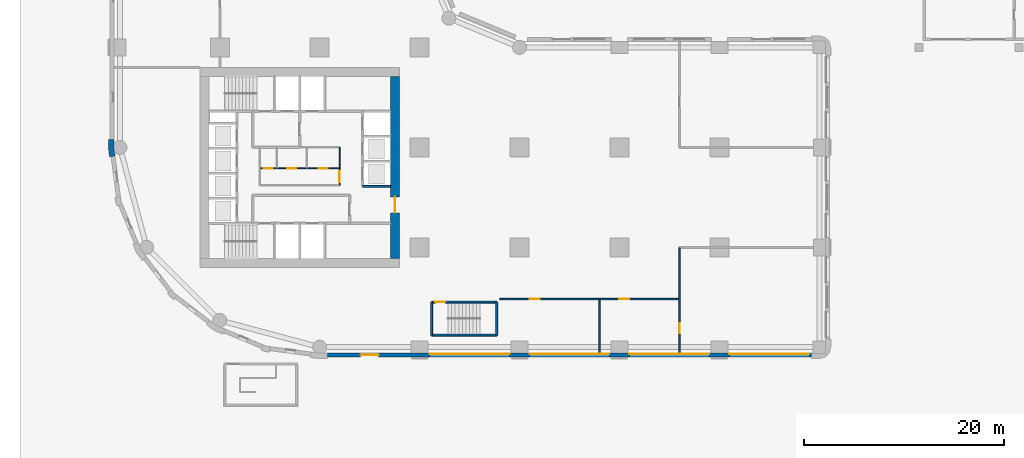
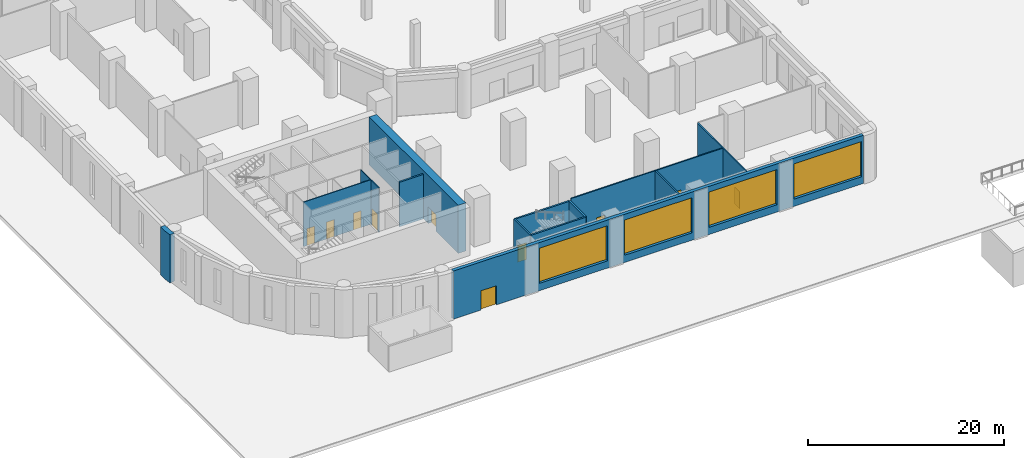
# One storey, part 8 of 21: 13 walls, 10 doors, 4 windows, 14 openings.
"""IFC4 building model written with IfcOpenShell, lengths in metres."""

from ifc_helpers import new_model, si_unit, direction, frame, frame_2d, origin, place, context, subcontext, project, spatial, polyline, rectangle, outline, extrude, material, layer, layer_set, type_object, element, fill, save


model = new_model("IFC4")

# Units and contexts
model_context = context("Model", 3, precision=1e-05, world=origin(), true_north=direction((0.0, 1.0)))
body_context = subcontext(model_context, "Body", "Model", "MODEL_VIEW")
ifc_project = project(units=[si_unit("LENGTHUNIT", "METRE"), si_unit("AREAUNIT", "SQUARE_METRE"), si_unit("VOLUMEUNIT", "CUBIC_METRE"), si_unit("PLANEANGLEUNIT", "RADIAN"), si_unit("MASSUNIT", "GRAM", prefix="KILO")], contexts=[model_context])

# Site, building, storey
site_placement = place(None, origin())
site = spatial("IfcSite", under=ifc_project, at=site_placement, CompositionType="ELEMENT")
building_placement = place(site_placement, origin())
building = spatial("IfcBuilding", under=site, at=building_placement, Name="Qaws Garden Tower", CompositionType="ELEMENT")
storey_placement = place(building_placement, origin())
storey = spatial("IfcBuildingStorey", under=building, at=storey_placement, Name="L00", CompositionType="ELEMENT", Elevation=0.0)

# Wall, openings, doors
ifc_material_1 = material(Name="Plasterboard")
ifc_layer_1 = layer(ifc_material_1, 0.10009765625)
ifc_layer_set_1 = layer_set([ifc_layer_1], Name="Plasterboard")
wall_type_1 = type_object("IfcWallType", Name="Core partition 100", PredefinedType="PARTITIONING", material=ifc_layer_set_1)
wall_1_placement = place(storey_placement, frame((14.0, 17.89990234375, 0.0), z_axis=(0.0, 0.0, 1.0), x_axis=(1.0, 0.0, 0.0)))
wall_1 = element("IfcWall", 1, at=wall_1_placement, inside=storey, type_object=wall_type_1, Name="Core partition", PredefinedType="PARTITIONING", context=body_context, shape_type="SweptSolid", body=[
    extrude(rectangle(XDim=8.0, YDim=0.10009765625, at=frame_2d((4.0, 0.0))), origin(), (0.0, 0.0, 1.0), 5.550048828125),
])
opening_1_placement = place(wall_1_placement, frame((0.39990234375, 0.0, 0.0)))
opening_1 = element("IfcOpeningElement", 2, at=opening_1_placement, cuts=wall_1, Name="Opening WD20", PredefinedType="OPENING", context=body_context, shape_type="SweptSolid", body=[
    extrude(rectangle(XDim=0.89990234375, YDim=2.10009765625, at=frame_2d((0.449951171875, 1.050048828125))), frame((0.0, 0.06005859375, 0.0), z_axis=(0.0, -1.0, 0.0), x_axis=(1.0, 0.0, 0.0)), (0.0, 0.0, 1.0), 0.1201171875),
])
opening_2_placement = place(wall_1_placement, frame((2.75, 0.0, 0.0)))
opening_2 = element("IfcOpeningElement", 3, at=opening_2_placement, cuts=wall_1, Name="Opening WD21", PredefinedType="OPENING", context=body_context, shape_type="SweptSolid", body=[
    extrude(rectangle(XDim=0.89990234375, YDim=2.10009765625, at=frame_2d((0.449951171875, 1.050048828125))), frame((0.0, 0.06005859375, 0.0), z_axis=(0.0, -1.0, 0.0), x_axis=(1.0, 0.0, 0.0)), (0.0, 0.0, 1.0), 0.1201171875),
])
opening_3_placement = place(wall_1_placement, frame((5.89990234375, 0.0, 0.0)))
opening_3 = element("IfcOpeningElement", 4, at=opening_3_placement, cuts=wall_1, Name="Opening WD22", PredefinedType="OPENING", context=body_context, shape_type="SweptSolid", body=[
    extrude(rectangle(XDim=0.89990234375, YDim=2.10009765625, at=frame_2d((0.449951171875, 1.050048828125))), frame((0.0, 0.06005859375, 0.0), z_axis=(0.0, -1.0, 0.0), x_axis=(1.0, 0.0, 0.0)), (0.0, 0.0, 1.0), 0.1201171875),
])
ifc_material_2 = material(Name="Timber", Category="wood")
door_type_1 = type_object("IfcDoorType", Name="WC door 900x2100", OperationType="SINGLE_SWING_LEFT", PredefinedType="DOOR", material=ifc_material_2)
door_1_placement = place(opening_1_placement, origin())
door_1 = element("IfcDoor", 5, at=door_1_placement, inside=storey, type_object=door_type_1, Name="Accessible WC door", OperationType="SINGLE_SWING_RIGHT", OverallHeight=2.10009765625, OverallWidth=0.89990234375, PredefinedType="DOOR", context=body_context, shape_type="SweptSolid", body=[
    extrude(rectangle(XDim=0.89990234375, YDim=2.10009765625, at=frame_2d((0.449951171875, 1.050048828125))), frame((0.0, 0.02490234375, 0.0), z_axis=(0.0, -1.0, 0.0), x_axis=(1.0, 0.0, 0.0)), (0.0, 0.0, 1.0), 0.050048828125),
])
fill(opening_1, door_1)
door_2_placement = place(opening_2_placement, origin())
door_2 = element("IfcDoor", 6, at=door_2_placement, inside=storey, type_object=door_type_1, Name="Men's WC door", OperationType="SINGLE_SWING_RIGHT", OverallHeight=2.10009765625, OverallWidth=0.89990234375, PredefinedType="DOOR", context=body_context, shape_type="SweptSolid", body=[
    extrude(rectangle(XDim=0.89990234375, YDim=2.10009765625, at=frame_2d((0.449951171875, 1.050048828125))), frame((0.0, 0.02490234375, 0.0), z_axis=(0.0, -1.0, 0.0), x_axis=(1.0, 0.0, 0.0)), (0.0, 0.0, 1.0), 0.050048828125),
])
fill(opening_2, door_2)
door_3_placement = place(opening_3_placement, origin())
door_3 = element("IfcDoor", 7, at=door_3_placement, inside=storey, type_object=door_type_1, Name="Women's WC door", OperationType="SINGLE_SWING_RIGHT", OverallHeight=2.10009765625, OverallWidth=0.89990234375, PredefinedType="DOOR", context=body_context, shape_type="SweptSolid", body=[
    extrude(rectangle(XDim=0.89990234375, YDim=2.10009765625, at=frame_2d((0.449951171875, 1.050048828125))), frame((0.0, 0.02490234375, 0.0), z_axis=(0.0, -1.0, 0.0), x_axis=(1.0, 0.0, 0.0)), (0.0, 0.0, 1.0), 0.050048828125),
])
fill(opening_3, door_3)

# Wall, opening, door
wall_2_placement = place(storey_placement, frame((22.0, 16.199951171875, 0.0), z_axis=(0.0, 0.0, 1.0), x_axis=(0.0, 1.0, 0.0)))
wall_2 = element("IfcWall", 8, at=wall_2_placement, inside=storey, type_object=wall_type_1, Name="Core partition", PredefinedType="PARTITIONING", context=body_context, shape_type="SweptSolid", body=[
    extrude(rectangle(XDim=3.800048828125, YDim=0.10009765625, at=frame_2d((1.89990234375, 0.0))), origin(), (0.0, 0.0, 1.0), 5.550048828125),
])
opening_4_placement = place(wall_2_placement, frame((0.300048828125, 0.0, 0.0)))
opening_4 = element("IfcOpeningElement", 9, at=opening_4_placement, cuts=wall_2, Name="Opening WL19", PredefinedType="OPENING", context=body_context, shape_type="SweptSolid", body=[
    extrude(rectangle(XDim=1.10009765625, YDim=2.10009765625, at=frame_2d((0.550048828125, 1.050048828125))), frame((0.0, 0.06005859375, 0.0), z_axis=(0.0, -1.0, 0.0), x_axis=(1.0, 0.0, 0.0)), (0.0, 0.0, 1.0), 0.1201171875),
])
ifc_material_3 = material(Name="Timber", Category="wood")
door_type_2 = type_object("IfcDoorType", Name="WC lobby door 1100x2100", OperationType="SINGLE_SWING_LEFT", PredefinedType="DOOR", material=ifc_material_3)
door_4_placement = place(opening_4_placement, origin())
door_4 = element("IfcDoor", 10, at=door_4_placement, inside=storey, type_object=door_type_2, Name="WC lobby door", OperationType="SINGLE_SWING_RIGHT", OverallHeight=2.10009765625, OverallWidth=1.10009765625, PredefinedType="DOOR", context=body_context, shape_type="SweptSolid", body=[
    extrude(rectangle(XDim=1.10009765625, YDim=2.10009765625, at=frame_2d((0.550048828125, 1.050048828125))), frame((0.0, 0.02490234375, 0.0), z_axis=(0.0, -1.0, 0.0), x_axis=(1.0, 0.0, 0.0)), (0.0, 0.0, 1.0), 0.050048828125),
])
fill(opening_4, door_4)

# Wall
ifc_material_4 = material(Name="Concrete C80", Category="concrete")
ifc_layer_2 = layer(ifc_material_4, 0.199951171875)
ifc_layer_set_2 = layer_set([ifc_layer_2], Name="Concrete C80")
wall_type_2 = type_object("IfcWallType", Name="Core shaft wall 200 C80", PredefinedType="SHEAR", material=ifc_layer_set_2)
wall_3_placement = place(storey_placement, frame((31.199951171875, 1.199951171875, 0.0), z_axis=(0.0, 0.0, 1.0), x_axis=(1.0, 0.0, 0.0)))
element("IfcWall", 11, at=wall_3_placement, inside=storey, type_object=wall_type_2, Name="Shaft wall", PredefinedType="SHEAR", context=body_context, shape_type="SweptSolid", body=[
    extrude(rectangle(XDim=6.5, YDim=0.199951171875, at=frame_2d((3.25, 0.0))), origin(), (0.0, 0.0, 1.0), 5.550048828125),
])

# Wall, opening, door
wall_4_placement = place(storey_placement, frame((31.199951171875, 4.5, 0.0), z_axis=(0.0, 0.0, 1.0), x_axis=(1.0, 0.0, 0.0)))
wall_4 = element("IfcWall", 12, at=wall_4_placement, inside=storey, type_object=wall_type_2, Name="Shaft wall", PredefinedType="SHEAR", context=body_context, shape_type="SweptSolid", body=[
    extrude(rectangle(XDim=6.5, YDim=0.199951171875, at=frame_2d((3.25, 0.0))), origin(), (0.0, 0.0, 1.0), 5.550048828125),
])
opening_5_placement = place(wall_4_placement, frame((0.375, 0.0, 0.0)))
opening_5 = element("IfcOpeningElement", 13, at=opening_5_placement, cuts=wall_4, Name="Opening SD14", PredefinedType="OPENING", context=body_context, shape_type="SweptSolid", body=[
    extrude(rectangle(XDim=1.0, YDim=2.10009765625, at=frame_2d((0.5, 1.050048828125))), frame((0.0, 0.10986328125, 0.0), z_axis=(0.0, -1.0, 0.0), x_axis=(1.0, 0.0, 0.0)), (0.0, 0.0, 1.0), 0.219970703125),
])
ifc_material_5 = material(Name="Steel S235", Category="steel")
door_type_3 = type_object("IfcDoorType", Name="Stair door 1000x2100", OperationType="SINGLE_SWING_RIGHT", PredefinedType="DOOR", material=ifc_material_5)
door_5_placement = place(opening_5_placement, frame((1.0, 0.0, 0.0), z_axis=(0.0, 0.0, 1.0), x_axis=(-1.0, 0.0, 0.0)))
door_5 = element("IfcDoor", 14, at=door_5_placement, inside=storey, type_object=door_type_3, Name="Stair 5 door", OperationType="SINGLE_SWING_RIGHT", OverallHeight=2.10009765625, OverallWidth=1.0, PredefinedType="DOOR", context=body_context, shape_type="SweptSolid", body=[
    extrude(rectangle(XDim=1.0, YDim=2.10009765625, at=frame_2d((0.5, 1.050048828125))), frame((0.0, 0.02490234375, 0.0), z_axis=(0.0, -1.0, 0.0), x_axis=(1.0, 0.0, 0.0)), (0.0, 0.0, 1.0), 0.050048828125),
])
fill(opening_5, door_5)

# Walls
wall_5_placement = place(storey_placement, frame((24.300048828125, 16.10009765625, 0.0), z_axis=(0.0, 0.0, 1.0), x_axis=(1.0, 0.0, 0.0)))
element("IfcWall", 15, at=wall_5_placement, inside=storey, type_object=wall_type_2, Name="Shaft wall", PredefinedType="SHEAR", context=body_context, shape_type="SweptSolid", body=[
    extrude(rectangle(XDim=2.800048828125, YDim=0.199951171875, at=frame_2d((1.39990234375, 0.0))), origin(), (0.0, 0.0, 1.0), 5.550048828125),
])
for number, where, z_axis, x_axis, name in (
    (16, (31.199951171875, 1.199951171875, 0.0), (0.0, 0.0, 1.0), (0.0, 1.0, 0.0), "Shaft wall"),
    (17, (37.699951171875, 1.199951171875, 0.0), (0.0, 0.0, 1.0), (0.0, 1.0, 0.0), "Shaft wall"),
):
    element("IfcWall", number, at=place(storey_placement, frame(where, z_axis=z_axis, x_axis=x_axis)), inside=storey, type_object=wall_type_2, Name=name, PredefinedType="SHEAR", context=body_context, shape_type="SweptSolid", body=[
        extrude(rectangle(XDim=3.300048828125, YDim=0.199951171875, at=frame_2d((1.64990234375, 0.0))), origin(), (0.0, 0.0, 1.0), 5.550048828125),
    ])

# Wall, opening, door
ifc_material_6 = material(Name="Concrete C80", Category="concrete")
ifc_layer_3 = layer(ifc_material_6, 0.89990234375)
ifc_layer_set_3 = layer_set([ifc_layer_3], Name="Concrete C80")
wall_type_3 = type_object("IfcWallType", Name="Core wall 900 C80", PredefinedType="SHEAR", material=ifc_layer_set_3)
wall_6_placement = place(storey_placement, frame((27.550048828125, 8.89990234375, 0.0), z_axis=(0.0, 0.0, 1.0), x_axis=(0.0, 1.0, 0.0)))
wall_6 = element("IfcWall", 18, at=wall_6_placement, inside=storey, type_object=wall_type_3, Name="Core wall L00 east", PredefinedType="SHEAR", context=body_context, shape_type="SweptSolid", body=[
    extrude(rectangle(XDim=18.2001953125, YDim=0.89990234375, at=frame_2d((9.10009765625, 0.0))), origin(), (0.0, 0.0, 1.0), 6.0),
])
opening_6_placement = place(wall_6_placement, frame((4.550048828125, 0.0, 0.0)))
opening_6 = element("IfcOpeningElement", 19, at=opening_6_placement, cuts=wall_6, Name="Opening ED23", PredefinedType="OPENING", context=body_context, shape_type="SweptSolid", body=[
    extrude(rectangle(XDim=1.60009765625, YDim=2.10009765625, at=frame_2d((0.800048828125, 1.050048828125))), frame((0.0, 0.4599609375, 0.0), z_axis=(0.0, -1.0, 0.0), x_axis=(1.0, 0.0, 0.0)), (0.0, 0.0, 1.0), 0.919921875),
])
ifc_material_7 = material(Name="Steel S235", Category="steel")
door_type_4 = type_object("IfcDoorType", Name="Core entrance door 1600x2100", OperationType="DOUBLE_DOOR_SINGLE_SWING", PredefinedType="DOOR", material=ifc_material_7)
door_6_placement = place(opening_6_placement, frame((1.60009765625, 0.0, 0.0), z_axis=(0.0, 0.0, 1.0), x_axis=(-1.0, 0.0, 0.0)))
door_6 = element("IfcDoor", 20, at=door_6_placement, inside=storey, type_object=door_type_4, Name="Core entrance door", OperationType="DOUBLE_DOOR_SINGLE_SWING", OverallHeight=2.10009765625, OverallWidth=1.60009765625, PredefinedType="DOOR", context=body_context, shape_type="SweptSolid", body=[
    extrude(rectangle(XDim=1.60009765625, YDim=2.10009765625, at=frame_2d((0.800048828125, 1.050048828125))), frame((0.0, 0.02490234375, 0.0), z_axis=(0.0, -1.0, 0.0), x_axis=(1.0, 0.0, 0.0)), (0.0, 0.0, 1.0), 0.050048828125),
])
fill(opening_6, door_6)

ifc_material_8 = material(Name="Gypsum board on steel S235 stud", Category="steel")
ifc_layer_4 = layer(ifc_material_8, 0.14990234375)
ifc_layer_set_4 = layer_set([ifc_layer_4], Name="Gypsum board on steel S235 stud")
wall_type_4 = type_object("IfcWallType", Name="Partition 150", PredefinedType="PARTITIONING", material=ifc_layer_set_4)
wall_7_placement = place(storey_placement, frame((56.0, -0.60009765625, 0.0), z_axis=(0.0, 0.0, 1.0), x_axis=(0.0, 1.0, 0.0)))
wall_7 = element("IfcWall", 21, at=wall_7_placement, inside=storey, type_object=wall_type_4, Name="Retail partition", PredefinedType="PARTITIONING", context=body_context, shape_type="SweptSolid", body=[
    extrude(rectangle(XDim=10.550048828125, YDim=0.14990234375, at=frame_2d((5.27490234375, 0.0))), origin(), (0.0, 0.0, 1.0), 5.550048828125),
])
opening_7_placement = place(wall_7_placement, frame((2.0, 0.0, 0.0)))
opening_7 = element("IfcOpeningElement", 22, at=opening_7_placement, cuts=wall_7, Name="Opening PD1-01", PredefinedType="OPENING", context=body_context, shape_type="SweptSolid", body=[
    extrude(rectangle(XDim=1.0, YDim=2.10009765625, at=frame_2d((0.5, 1.050048828125))), frame((0.0, 0.0849609375, 0.0), z_axis=(0.0, -1.0, 0.0), x_axis=(1.0, 0.0, 0.0)), (0.0, 0.0, 1.0), 0.169921875),
])
ifc_material_9 = material(Name="Steel S235 framed door leaf", Category="steel")
door_type_5 = type_object("IfcDoorType", Name="Door D1 single 1000", OperationType="SINGLE_SWING_LEFT", PredefinedType="DOOR", material=ifc_material_9)
door_7_placement = place(opening_7_placement, origin())
door_7 = element("IfcDoor", 23, at=door_7_placement, inside=storey, type_object=door_type_5, Name="Retail unit door", OperationType="SINGLE_SWING_RIGHT", OverallHeight=2.10009765625, OverallWidth=1.0, PredefinedType="DOOR", context=body_context, shape_type="SweptSolid", body=[
    extrude(rectangle(XDim=1.0, YDim=2.10009765625, at=frame_2d((0.5, 1.050048828125))), frame((0.0, 0.02490234375, 0.0), z_axis=(0.0, -1.0, 0.0), x_axis=(1.0, 0.0, 0.0)), (0.0, 0.0, 1.0), 0.050048828125),
])
fill(opening_7, door_7)

# Wall, openings, doors
wall_8_placement = place(storey_placement, frame((38.0, 4.800048828125, 0.0), z_axis=(0.0, 0.0, 1.0), x_axis=(1.0, 0.0, 0.0)))
wall_8 = element("IfcWall", 24, at=wall_8_placement, inside=storey, type_object=wall_type_4, Name="Command centre wall", PredefinedType="PARTITIONING", context=body_context, shape_type="SweptSolid", body=[
    extrude(rectangle(XDim=18.0, YDim=0.14990234375, at=frame_2d((9.0, 0.0))), origin(), (0.0, 0.0, 1.0), 5.550048828125),
])
opening_8_placement = place(wall_8_placement, frame((3.0, 0.0, 0.0)))
opening_8 = element("IfcOpeningElement", 25, at=opening_8_placement, cuts=wall_8, Name="Opening PD12-02", PredefinedType="OPENING", context=body_context, shape_type="SweptSolid", body=[
    extrude(rectangle(XDim=1.0, YDim=2.10009765625, at=frame_2d((0.5, 1.050048828125))), frame((0.0, 0.0849609375, 0.0), z_axis=(0.0, -1.0, 0.0), x_axis=(1.0, 0.0, 0.0)), (0.0, 0.0, 1.0), 0.169921875),
])
opening_9_placement = place(wall_8_placement, frame((12.0, 0.0, 0.0)))
opening_9 = element("IfcOpeningElement", 26, at=opening_9_placement, cuts=wall_8, Name="Opening PD1-03", PredefinedType="OPENING", context=body_context, shape_type="SweptSolid", body=[
    extrude(rectangle(XDim=1.0, YDim=2.10009765625, at=frame_2d((0.5, 1.050048828125))), frame((0.0, 0.0849609375, 0.0), z_axis=(0.0, -1.0, 0.0), x_axis=(1.0, 0.0, 0.0)), (0.0, 0.0, 1.0), 0.169921875),
])
door_8_placement = place(opening_9_placement, frame((1.0, 0.0, 0.0), z_axis=(0.0, 0.0, 1.0), x_axis=(-1.0, 0.0, 0.0)))
door_8 = element("IfcDoor", 27, at=door_8_placement, inside=storey, type_object=door_type_5, Name="Security office door", OperationType="SINGLE_SWING_RIGHT", OverallHeight=2.10009765625, OverallWidth=1.0, PredefinedType="DOOR", context=body_context, shape_type="SweptSolid", body=[
    extrude(rectangle(XDim=1.0, YDim=2.10009765625, at=frame_2d((0.5, 1.050048828125))), frame((0.0, 0.02490234375, 0.0), z_axis=(0.0, -1.0, 0.0), x_axis=(1.0, 0.0, 0.0)), (0.0, 0.0, 1.0), 0.050048828125),
])
fill(opening_9, door_8)
ifc_material_10 = material(Name="Steel S235 framed door leaf", Category="steel")
door_type_6 = type_object("IfcDoorType", Name="Door D12 fire single 1000", OperationType="SINGLE_SWING_LEFT", PredefinedType="DOOR", material=ifc_material_10)
door_9_placement = place(opening_8_placement, frame((1.0, 0.0, 0.0), z_axis=(0.0, 0.0, 1.0), x_axis=(-1.0, 0.0, 0.0)))
door_9 = element("IfcDoor", 28, at=door_9_placement, inside=storey, type_object=door_type_6, Name="Fire command centre door", OperationType="SINGLE_SWING_RIGHT", OverallHeight=2.10009765625, OverallWidth=1.0, PredefinedType="DOOR", context=body_context, shape_type="SweptSolid", body=[
    extrude(rectangle(XDim=1.0, YDim=2.10009765625, at=frame_2d((0.5, 1.050048828125))), frame((0.0, 0.02490234375, 0.0), z_axis=(0.0, -1.0, 0.0), x_axis=(1.0, 0.0, 0.0)), (0.0, 0.0, 1.0), 0.050048828125),
])
fill(opening_8, door_9)

# Wall
wall_9_placement = place(storey_placement, frame((48.0, -0.60009765625, 0.0), z_axis=(0.0, 0.0, 1.0), x_axis=(0.0, 1.0, 0.0)))
element("IfcWall", 29, at=wall_9_placement, inside=storey, type_object=wall_type_4, Name="Security partition", PredefinedType="PARTITIONING", context=body_context, shape_type="SweptSolid", body=[
    extrude(rectangle(XDim=5.3251953125, YDim=0.14990234375, at=frame_2d((2.66259765625, 0.0))), origin(), (0.0, 0.0, 1.0), 5.550048828125),
])

# Wall, openings, windows, door
ifc_material_11 = material(Name="Limestone ashlar masonry", Category="masonry")
ifc_layer_5 = layer(ifc_material_11, 0.39990234375)
ifc_layer_set_5 = layer_set([ifc_layer_5], Name="Limestone ashlar masonry")
wall_type_5 = type_object("IfcWallType", Name="Stone infill wall 400", PredefinedType="SOLIDWALL", material=ifc_layer_set_5)
wall_10_placement = place(storey_placement, frame((20.800048828125, -0.800048828125, 0.0), z_axis=(0.0, 0.0, 1.0), x_axis=(1.0, 0.0, 0.0)))
wall_10 = element("IfcWall", 30, at=wall_10_placement, inside=storey, type_object=wall_type_5, Name="E-L00-infill-00", PredefinedType="SOLIDWALL", context=body_context, shape_type="SweptSolid", body=[
    extrude(rectangle(XDim=48.39990234375, YDim=0.39990234375, at=frame_2d((24.199951171875, 0.0))), origin(), (0.0, 0.0, 1.0), 6.0),
])
opening_10_placement = place(wall_10_placement, frame((3.300048828125, 0.0, 0.0)))
opening_10 = element("IfcOpeningElement", 31, at=opening_10_placement, cuts=wall_10, Name="Opening XD001", PredefinedType="OPENING", context=body_context, shape_type="SweptSolid", body=[
    extrude(rectangle(XDim=1.800048828125, YDim=2.39990234375, at=frame_2d((0.89990234375, 1.199951171875))), frame((0.0, 0.2099609375, 0.0), z_axis=(0.0, -1.0, 0.0), x_axis=(1.0, 0.0, 0.0)), (0.0, 0.0, 1.0), 0.419921875),
])
opening_11_placement = place(wall_10_placement, frame((10.199951171875, 0.0, 0.89990234375)))
opening_11 = element("IfcOpeningElement", 32, at=opening_11_placement, cuts=wall_10, Name="Opening W03", PredefinedType="OPENING", context=body_context, shape_type="SweptSolid", body=[
    extrude(rectangle(XDim=8.0, YDim=4.39990234375, at=frame_2d((4.0, 2.199951171875))), frame((0.0, 0.2099609375, 0.0), z_axis=(0.0, -1.0, 0.0), x_axis=(1.0, 0.0, 0.0)), (0.0, 0.0, 1.0), 0.419921875),
])
opening_12_placement = place(wall_10_placement, frame((20.199951171875, 0.0, 0.89990234375)))
opening_12 = element("IfcOpeningElement", 33, at=opening_12_placement, cuts=wall_10, Name="Opening W03", PredefinedType="OPENING", context=body_context, shape_type="SweptSolid", body=[
    extrude(rectangle(XDim=8.0, YDim=4.39990234375, at=frame_2d((4.0, 2.199951171875))), frame((0.0, 0.2099609375, 0.0), z_axis=(0.0, -1.0, 0.0), x_axis=(1.0, 0.0, 0.0)), (0.0, 0.0, 1.0), 0.419921875),
])
opening_13_placement = place(wall_10_placement, frame((30.199951171875, 0.0, 0.89990234375)))
opening_13 = element("IfcOpeningElement", 34, at=opening_13_placement, cuts=wall_10, Name="Opening W03", PredefinedType="OPENING", context=body_context, shape_type="SweptSolid", body=[
    extrude(rectangle(XDim=8.0, YDim=4.39990234375, at=frame_2d((4.0, 2.199951171875))), frame((0.0, 0.2099609375, 0.0), z_axis=(0.0, -1.0, 0.0), x_axis=(1.0, 0.0, 0.0)), (0.0, 0.0, 1.0), 0.419921875),
])
opening_14_placement = place(wall_10_placement, frame((40.199951171875, 0.0, 0.89990234375)))
opening_14 = element("IfcOpeningElement", 35, at=opening_14_placement, cuts=wall_10, Name="Opening W03", PredefinedType="OPENING", context=body_context, shape_type="SweptSolid", body=[
    extrude(rectangle(XDim=8.0, YDim=4.39990234375, at=frame_2d((4.0, 2.199951171875))), frame((0.0, 0.2099609375, 0.0), z_axis=(0.0, -1.0, 0.0), x_axis=(1.0, 0.0, 0.0)), (0.0, 0.0, 1.0), 0.419921875),
])
ifc_material_12 = material(Name="Aluminium framed window, clear glazing", Category="aluminium")
window_type = type_object("IfcWindowType", Name="Ribbon window 8000 x 4400", PartitioningType="DOUBLE_PANEL_VERTICAL", PredefinedType="WINDOW", material=ifc_material_12)
window_1_placement = place(opening_11_placement, origin())
window_1 = element("IfcWindow", 36, at=window_1_placement, inside=storey, type_object=window_type, Name="E-L00-window-01-0", OverallHeight=4.39990234375, OverallWidth=8.0, PartitioningType="SINGLE_PANEL", PredefinedType="WINDOW", context=body_context, shape_type="SweptSolid", body=[
    extrude(rectangle(XDim=8.0, YDim=4.39990234375, at=frame_2d((4.0, 2.199951171875))), frame((0.0, 0.159912109375, 0.0), z_axis=(0.0, -1.0, 0.0), x_axis=(1.0, 0.0, 0.0)), (0.0, 0.0, 1.0), 0.06005859375),
])
fill(opening_11, window_1)
window_2_placement = place(opening_12_placement, origin())
window_2 = element("IfcWindow", 37, at=window_2_placement, inside=storey, type_object=window_type, Name="E-L00-window-02-0", OverallHeight=4.39990234375, OverallWidth=8.0, PartitioningType="SINGLE_PANEL", PredefinedType="WINDOW", context=body_context, shape_type="SweptSolid", body=[
    extrude(rectangle(XDim=8.0, YDim=4.39990234375, at=frame_2d((4.0, 2.199951171875))), frame((0.0, 0.159912109375, 0.0), z_axis=(0.0, -1.0, 0.0), x_axis=(1.0, 0.0, 0.0)), (0.0, 0.0, 1.0), 0.06005859375),
])
fill(opening_12, window_2)
window_3_placement = place(opening_13_placement, origin())
window_3 = element("IfcWindow", 38, at=window_3_placement, inside=storey, type_object=window_type, Name="E-L00-window-03-0", OverallHeight=4.39990234375, OverallWidth=8.0, PartitioningType="SINGLE_PANEL", PredefinedType="WINDOW", context=body_context, shape_type="SweptSolid", body=[
    extrude(rectangle(XDim=8.0, YDim=4.39990234375, at=frame_2d((4.0, 2.199951171875))), frame((0.0, 0.159912109375, 0.0), z_axis=(0.0, -1.0, 0.0), x_axis=(1.0, 0.0, 0.0)), (0.0, 0.0, 1.0), 0.06005859375),
])
fill(opening_13, window_3)
window_4_placement = place(opening_14_placement, origin())
window_4 = element("IfcWindow", 39, at=window_4_placement, inside=storey, type_object=window_type, Name="E-L00-window-04-0", OverallHeight=4.39990234375, OverallWidth=8.0, PartitioningType="SINGLE_PANEL", PredefinedType="WINDOW", context=body_context, shape_type="SweptSolid", body=[
    extrude(rectangle(XDim=8.0, YDim=4.39990234375, at=frame_2d((4.0, 2.199951171875))), frame((0.0, 0.159912109375, 0.0), z_axis=(0.0, -1.0, 0.0), x_axis=(1.0, 0.0, 0.0)), (0.0, 0.0, 1.0), 0.06005859375),
])
fill(opening_14, window_4)
ifc_material_13 = material(Name="Aluminium framed glazed door, clear glazing", Category="aluminium")
door_type_7 = type_object("IfcDoorType", Name="Stair discharge door 1800 x 2400", OperationType="DOUBLE_DOOR_DOUBLE_SWING", PredefinedType="DOOR", material=ifc_material_13)
door_10_placement = place(opening_10_placement, origin())
door_10 = element("IfcDoor", 40, at=door_10_placement, inside=storey, type_object=door_type_7, Name="E-L00-door-00", OperationType="DOUBLE_DOOR_DOUBLE_SWING", OverallHeight=2.39990234375, OverallWidth=1.800048828125, PredefinedType="DOOR", context=body_context, shape_type="SweptSolid", body=[
    extrude(rectangle(XDim=1.800048828125, YDim=2.39990234375, at=frame_2d((0.89990234375, 1.199951171875))), frame((0.0, 0.02490234375, 0.0), z_axis=(0.0, -1.0, 0.0), x_axis=(1.0, 0.0, 0.0)), (0.0, 0.0, 1.0), 0.050048828125),
])
fill(opening_10, door_10)

# Wall
ifc_material_14 = material(Name="Limestone ashlar masonry", Category="masonry")
ifc_layer_6 = layer(ifc_material_14, 0.550048828125)
ifc_layer_set_6 = layer_set([ifc_layer_6], Name="Limestone ashlar masonry")
wall_type_6 = type_object("IfcWallType", Name="Stone pier 550 x 1600", PredefinedType="SOLIDWALL", material=ifc_layer_set_6)
wall_11_placement = place(storey_placement, origin())
element("IfcWall", 41, at=wall_11_placement, inside=storey, type_object=wall_type_6, Name="E-L00-pier-27", PredefinedType="SOLIDWALL", context=body_context, shape_type="SweptSolid", body=[
    extrude(outline(polyline([(-1.0, 20.800048828125), (-1.14990234375, 20.800048828125), (-1.14990234375, 19.924560546875), (-1.03564453125, 19.056640625), (-0.886962890625, 19.076416015625), (-0.490478515625, 19.12841796875), (-0.60009765625, 19.960693359375), (-0.60009765625, 20.800048828125), (-1.0, 20.800048828125)])), origin(), (0.0, 0.0, 1.0), 6.0),
])

save(model, "model.ifc")
